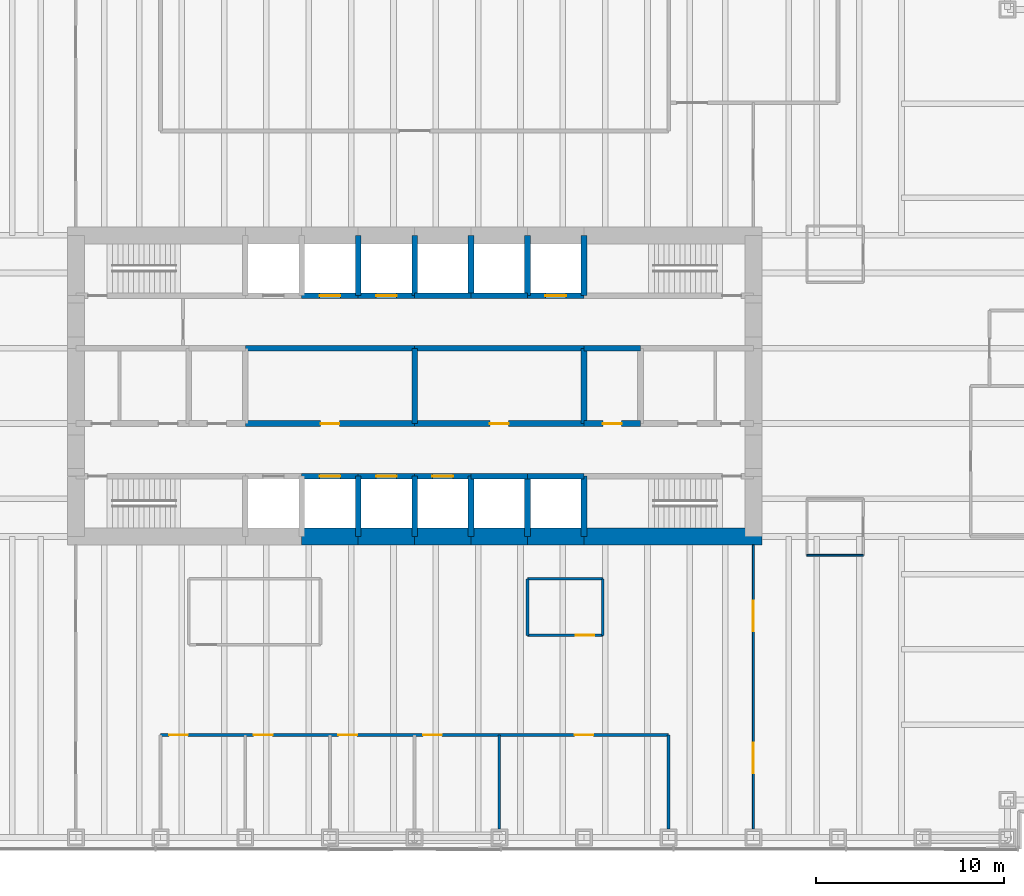
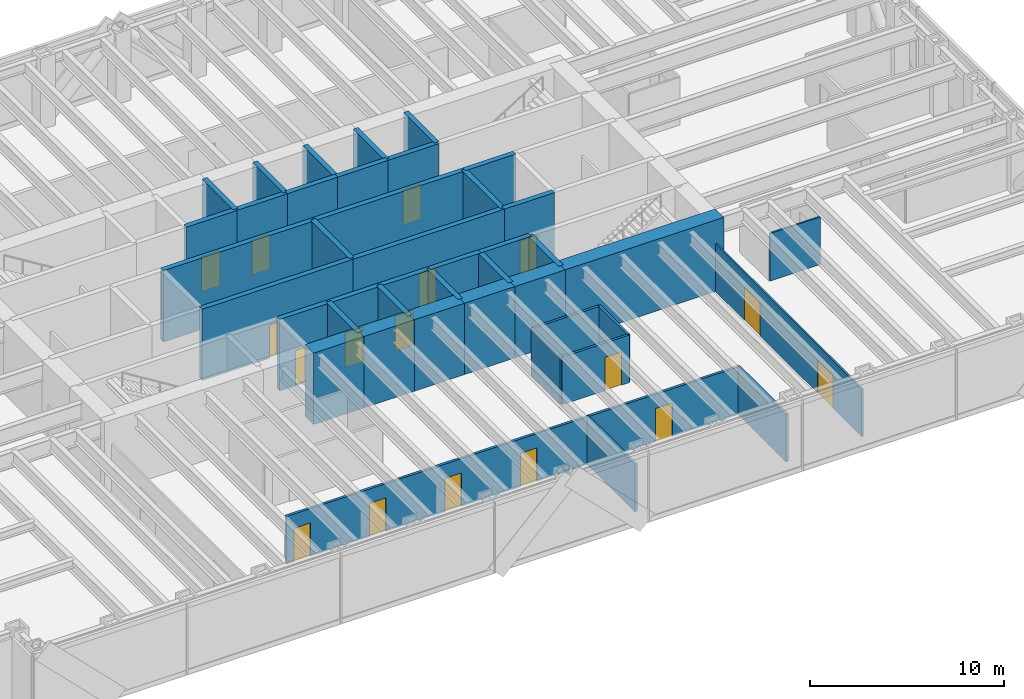
# One storey, part 10 of 13: 43 walls, 17 doors, 17 openings.
"""IFC4 building model written with IfcOpenShell, lengths in metres."""

from ifc_helpers import new_model, si_unit, direction, frame, frame_2d, origin, place, context, subcontext, project, spatial, rectangle, extrude, material, layer, layer_set, type_object, element, fill, save


model = new_model("IFC4")

# Units and contexts
model_context = context("Model", 3, precision=1e-05, world=origin(), true_north=direction((0.0, 1.0)))
body_context = subcontext(model_context, "Body", "Model", "MODEL_VIEW")
ifc_project = project(units=[si_unit("LENGTHUNIT", "METRE"), si_unit("AREAUNIT", "SQUARE_METRE"), si_unit("VOLUMEUNIT", "CUBIC_METRE"), si_unit("PLANEANGLEUNIT", "RADIAN"), si_unit("MASSUNIT", "GRAM", prefix="KILO")], contexts=[model_context])

# Site, building, storey
site_placement = place(None, origin())
site = spatial("IfcSite", under=ifc_project, at=site_placement, CompositionType="ELEMENT")
building_placement = place(site_placement, origin())
building = spatial("IfcBuilding", under=site, at=building_placement, Name="Rheinbord Bourse Tower", CompositionType="ELEMENT")
storey_placement = place(building_placement, frame((0.0, 0.0, 27.5)))
storey = spatial("IfcBuildingStorey", under=building, at=storey_placement, Name="L05", CompositionType="ELEMENT", Elevation=27.5)

# Wall, opening, door
ifc_material_1 = material(Name="Concrete C50/60", Category="concrete")
ifc_layer_1 = layer(ifc_material_1, 0.300048828125)
ifc_layer_set_1 = layer_set([ifc_layer_1], Name="CORE INNER WALL 300")
wall_type_1 = type_object("IfcWallType", Name="CORE INNER WALL 300", PredefinedType="SOLIDWALL", material=ifc_layer_set_1)
wall_1_placement = place(storey_placement, frame((30.0, 19.199951171875, 0.0), z_axis=(0.0, 0.0, 1.0), x_axis=(1.0, 0.0, 0.0)))
wall_1 = element("IfcWall", 1, at=wall_1_placement, inside=storey, type_object=wall_type_1, Name="Core wall A3 L05", PredefinedType="SOLIDWALL", context=body_context, shape_type="SweptSolid", body=[
    extrude(rectangle(XDim=3.0, YDim=0.300048828125, at=frame_2d((1.5, 0.0))), origin(), (0.0, 0.0, 1.0), 4.5),
])
opening_1_placement = place(wall_1_placement, frame((0.949951171875, 0.0, 0.0)))
opening_1 = element("IfcOpeningElement", 2, at=opening_1_placement, cuts=wall_1, Name="Opening PA1", PredefinedType="OPENING", context=body_context, shape_type="SweptSolid", body=[
    extrude(rectangle(XDim=1.10009765625, YDim=2.199951171875, at=frame_2d((0.550048828125, 1.10009765625))), frame((0.0, 0.159912109375, 0.0), z_axis=(0.0, -1.0, 0.0), x_axis=(1.0, 0.0, 0.0)), (0.0, 0.0, 1.0), 0.320068359375),
])
ifc_material_2 = material(Name="Steel landing door", Category="steel")
door_type_1 = type_object("IfcDoorType", Name="LIFT LANDING DOOR 1100", OperationType="DOUBLE_DOOR_SLIDING", PredefinedType="USERDEFINED", material=ifc_material_2)
door_1_placement = place(opening_1_placement, origin())
door_1 = element("IfcDoor", 3, at=door_1_placement, inside=storey, type_object=door_type_1, Name="Lift landing door PA1 L05", ObjectType="LIFT LANDING DOOR", OperationType="DOUBLE_DOOR_SLIDING", OverallHeight=2.199951171875, OverallWidth=1.10009765625, PredefinedType="USERDEFINED", context=body_context, shape_type="SweptSolid", body=[
    extrude(rectangle(XDim=1.10009765625, YDim=2.199951171875, at=frame_2d((0.550048828125, 1.10009765625))), frame((0.0, 0.02490234375, 0.0), z_axis=(0.0, -1.0, 0.0), x_axis=(1.0, 0.0, 0.0)), (0.0, 0.0, 1.0), 0.050048828125),
])
fill(opening_1, door_1)

wall_2_placement = place(storey_placement, frame((33.0, 19.199951171875, 0.0), z_axis=(0.0, 0.0, 1.0), x_axis=(1.0, 0.0, 0.0)))
wall_2 = element("IfcWall", 4, at=wall_2_placement, inside=storey, type_object=wall_type_1, Name="Core wall A4 L05", PredefinedType="SOLIDWALL", context=body_context, shape_type="SweptSolid", body=[
    extrude(rectangle(XDim=3.0, YDim=0.300048828125, at=frame_2d((1.5, 0.0))), origin(), (0.0, 0.0, 1.0), 4.5),
])
opening_2_placement = place(wall_2_placement, frame((0.949951171875, 0.0, 0.0)))
opening_2 = element("IfcOpeningElement", 5, at=opening_2_placement, cuts=wall_2, Name="Opening PA2", PredefinedType="OPENING", context=body_context, shape_type="SweptSolid", body=[
    extrude(rectangle(XDim=1.10009765625, YDim=2.199951171875, at=frame_2d((0.550048828125, 1.10009765625))), frame((0.0, 0.159912109375, 0.0), z_axis=(0.0, -1.0, 0.0), x_axis=(1.0, 0.0, 0.0)), (0.0, 0.0, 1.0), 0.320068359375),
])
door_2_placement = place(opening_2_placement, origin())
door_2 = element("IfcDoor", 6, at=door_2_placement, inside=storey, type_object=door_type_1, Name="Lift landing door PA2 L05", ObjectType="LIFT LANDING DOOR", OperationType="DOUBLE_DOOR_SLIDING", OverallHeight=2.199951171875, OverallWidth=1.10009765625, PredefinedType="USERDEFINED", context=body_context, shape_type="SweptSolid", body=[
    extrude(rectangle(XDim=1.10009765625, YDim=2.199951171875, at=frame_2d((0.550048828125, 1.10009765625))), frame((0.0, 0.02490234375, 0.0), z_axis=(0.0, -1.0, 0.0), x_axis=(1.0, 0.0, 0.0)), (0.0, 0.0, 1.0), 0.050048828125),
])
fill(opening_2, door_2)

wall_3_placement = place(storey_placement, frame((36.0, 19.199951171875, 0.0), z_axis=(0.0, 0.0, 1.0), x_axis=(1.0, 0.0, 0.0)))
wall_3 = element("IfcWall", 7, at=wall_3_placement, inside=storey, type_object=wall_type_1, Name="Core wall A5 L05", PredefinedType="SOLIDWALL", context=body_context, shape_type="SweptSolid", body=[
    extrude(rectangle(XDim=3.0, YDim=0.300048828125, at=frame_2d((1.5, 0.0))), origin(), (0.0, 0.0, 1.0), 4.5),
])
opening_3_placement = place(wall_3_placement, frame((0.949951171875, 0.0, 0.0)))
opening_3 = element("IfcOpeningElement", 8, at=opening_3_placement, cuts=wall_3, Name="Opening PA3", PredefinedType="OPENING", context=body_context, shape_type="SweptSolid", body=[
    extrude(rectangle(XDim=1.10009765625, YDim=2.199951171875, at=frame_2d((0.550048828125, 1.10009765625))), frame((0.0, 0.159912109375, 0.0), z_axis=(0.0, -1.0, 0.0), x_axis=(1.0, 0.0, 0.0)), (0.0, 0.0, 1.0), 0.320068359375),
])
door_3_placement = place(opening_3_placement, origin())
door_3 = element("IfcDoor", 9, at=door_3_placement, inside=storey, type_object=door_type_1, Name="Lift landing door PA3 L05", ObjectType="LIFT LANDING DOOR", OperationType="DOUBLE_DOOR_SLIDING", OverallHeight=2.199951171875, OverallWidth=1.10009765625, PredefinedType="USERDEFINED", context=body_context, shape_type="SweptSolid", body=[
    extrude(rectangle(XDim=1.10009765625, YDim=2.199951171875, at=frame_2d((0.550048828125, 1.10009765625))), frame((0.0, 0.02490234375, 0.0), z_axis=(0.0, -1.0, 0.0), x_axis=(1.0, 0.0, 0.0)), (0.0, 0.0, 1.0), 0.050048828125),
])
fill(opening_3, door_3)

# Walls
for number, where, z_axis, x_axis, name in (
    (10, (39.0, 19.199951171875, 0.0), (0.0, 0.0, 1.0), (1.0, 0.0, 0.0), "Core wall A6 L05"),
    (11, (42.0, 19.199951171875, 0.0), (0.0, 0.0, 1.0), (1.0, 0.0, 0.0), "Core wall A7 L05"),
):
    element("IfcWall", number, at=place(storey_placement, frame(where, z_axis=z_axis, x_axis=x_axis)), inside=storey, type_object=wall_type_1, Name=name, PredefinedType="SOLIDWALL", context=body_context, shape_type="SweptSolid", body=[
        extrude(rectangle(XDim=3.0, YDim=0.300048828125, at=frame_2d((1.5, 0.0))), origin(), (0.0, 0.0, 1.0), 4.5),
    ])

# Wall, opening, door
wall_4_placement = place(storey_placement, frame((30.0, 28.800048828125, 0.0), z_axis=(0.0, 0.0, 1.0), x_axis=(1.0, 0.0, 0.0)))
wall_4 = element("IfcWall", 12, at=wall_4_placement, inside=storey, type_object=wall_type_1, Name="Core wall B3 L05", PredefinedType="SOLIDWALL", context=body_context, shape_type="SweptSolid", body=[
    extrude(rectangle(XDim=3.0, YDim=0.300048828125, at=frame_2d((1.5, 0.0))), origin(), (0.0, 0.0, 1.0), 4.5),
])
opening_4_placement = place(wall_4_placement, frame((0.949951171875, 0.0, 0.0)))
opening_4 = element("IfcOpeningElement", 13, at=opening_4_placement, cuts=wall_4, Name="Opening PA4", PredefinedType="OPENING", context=body_context, shape_type="SweptSolid", body=[
    extrude(rectangle(XDim=1.10009765625, YDim=2.199951171875, at=frame_2d((0.550048828125, 1.10009765625))), frame((0.0, 0.159912109375, 0.0), z_axis=(0.0, -1.0, 0.0), x_axis=(1.0, 0.0, 0.0)), (0.0, 0.0, 1.0), 0.320068359375),
])
door_4_placement = place(opening_4_placement, origin())
door_4 = element("IfcDoor", 14, at=door_4_placement, inside=storey, type_object=door_type_1, Name="Lift landing door PA4 L05", ObjectType="LIFT LANDING DOOR", OperationType="DOUBLE_DOOR_SLIDING", OverallHeight=2.199951171875, OverallWidth=1.10009765625, PredefinedType="USERDEFINED", context=body_context, shape_type="SweptSolid", body=[
    extrude(rectangle(XDim=1.10009765625, YDim=2.199951171875, at=frame_2d((0.550048828125, 1.10009765625))), frame((0.0, 0.02490234375, 0.0), z_axis=(0.0, -1.0, 0.0), x_axis=(1.0, 0.0, 0.0)), (0.0, 0.0, 1.0), 0.050048828125),
])
fill(opening_4, door_4)

wall_5_placement = place(storey_placement, frame((33.0, 28.800048828125, 0.0), z_axis=(0.0, 0.0, 1.0), x_axis=(1.0, 0.0, 0.0)))
wall_5 = element("IfcWall", 15, at=wall_5_placement, inside=storey, type_object=wall_type_1, Name="Core wall B4 L05", PredefinedType="SOLIDWALL", context=body_context, shape_type="SweptSolid", body=[
    extrude(rectangle(XDim=3.0, YDim=0.300048828125, at=frame_2d((1.5, 0.0))), origin(), (0.0, 0.0, 1.0), 4.5),
])
opening_5_placement = place(wall_5_placement, frame((0.949951171875, 0.0, 0.0)))
opening_5 = element("IfcOpeningElement", 16, at=opening_5_placement, cuts=wall_5, Name="Opening PA5", PredefinedType="OPENING", context=body_context, shape_type="SweptSolid", body=[
    extrude(rectangle(XDim=1.10009765625, YDim=2.199951171875, at=frame_2d((0.550048828125, 1.10009765625))), frame((0.0, 0.159912109375, 0.0), z_axis=(0.0, -1.0, 0.0), x_axis=(1.0, 0.0, 0.0)), (0.0, 0.0, 1.0), 0.320068359375),
])
door_5_placement = place(opening_5_placement, origin())
door_5 = element("IfcDoor", 17, at=door_5_placement, inside=storey, type_object=door_type_1, Name="Lift landing door PA5 L05", ObjectType="LIFT LANDING DOOR", OperationType="DOUBLE_DOOR_SLIDING", OverallHeight=2.199951171875, OverallWidth=1.10009765625, PredefinedType="USERDEFINED", context=body_context, shape_type="SweptSolid", body=[
    extrude(rectangle(XDim=1.10009765625, YDim=2.199951171875, at=frame_2d((0.550048828125, 1.10009765625))), frame((0.0, 0.02490234375, 0.0), z_axis=(0.0, -1.0, 0.0), x_axis=(1.0, 0.0, 0.0)), (0.0, 0.0, 1.0), 0.050048828125),
])
fill(opening_5, door_5)

# Walls
for number, where, z_axis, x_axis, name in (
    (18, (36.0, 28.800048828125, 0.0), (0.0, 0.0, 1.0), (1.0, 0.0, 0.0), "Core wall B5 L05"),
    (19, (39.0, 28.800048828125, 0.0), (0.0, 0.0, 1.0), (1.0, 0.0, 0.0), "Core wall B6 L05"),
):
    element("IfcWall", number, at=place(storey_placement, frame(where, z_axis=z_axis, x_axis=x_axis)), inside=storey, type_object=wall_type_1, Name=name, PredefinedType="SOLIDWALL", context=body_context, shape_type="SweptSolid", body=[
        extrude(rectangle(XDim=3.0, YDim=0.300048828125, at=frame_2d((1.5, 0.0))), origin(), (0.0, 0.0, 1.0), 4.5),
    ])

# Wall, opening, door
wall_6_placement = place(storey_placement, frame((42.0, 28.800048828125, 0.0), z_axis=(0.0, 0.0, 1.0), x_axis=(1.0, 0.0, 0.0)))
wall_6 = element("IfcWall", 20, at=wall_6_placement, inside=storey, type_object=wall_type_1, Name="Core wall B7 L05", PredefinedType="SOLIDWALL", context=body_context, shape_type="SweptSolid", body=[
    extrude(rectangle(XDim=3.0, YDim=0.300048828125, at=frame_2d((1.5, 0.0))), origin(), (0.0, 0.0, 1.0), 4.5),
])
opening_6_placement = place(wall_6_placement, frame((0.949951171875, 0.0, 0.0)))
opening_6 = element("IfcOpeningElement", 21, at=opening_6_placement, cuts=wall_6, Name="Opening FL2", PredefinedType="OPENING", context=body_context, shape_type="SweptSolid", body=[
    extrude(rectangle(XDim=1.10009765625, YDim=2.199951171875, at=frame_2d((0.550048828125, 1.10009765625))), frame((0.0, 0.159912109375, 0.0), z_axis=(0.0, -1.0, 0.0), x_axis=(1.0, 0.0, 0.0)), (0.0, 0.0, 1.0), 0.320068359375),
])
door_6_placement = place(opening_6_placement, origin())
door_6 = element("IfcDoor", 22, at=door_6_placement, inside=storey, type_object=door_type_1, Name="Lift landing door FL2 L05", ObjectType="LIFT LANDING DOOR", OperationType="DOUBLE_DOOR_SLIDING", OverallHeight=2.199951171875, OverallWidth=1.10009765625, PredefinedType="USERDEFINED", context=body_context, shape_type="SweptSolid", body=[
    extrude(rectangle(XDim=1.10009765625, YDim=2.199951171875, at=frame_2d((0.550048828125, 1.10009765625))), frame((0.0, 0.02490234375, 0.0), z_axis=(0.0, -1.0, 0.0), x_axis=(1.0, 0.0, 0.0)), (0.0, 0.0, 1.0), 0.050048828125),
])
fill(opening_6, door_6)

wall_7_placement = place(storey_placement, frame((27.0, 22.0, 0.0), z_axis=(0.0, 0.0, 1.0), x_axis=(1.0, 0.0, 0.0)))
wall_7 = element("IfcWall", 23, at=wall_7_placement, inside=storey, type_object=wall_type_1, Name="Core wall C3 L05", PredefinedType="SOLIDWALL", context=body_context, shape_type="SweptSolid", body=[
    extrude(rectangle(XDim=9.0, YDim=0.300048828125, at=frame_2d((4.5, 0.0))), origin(), (0.0, 0.0, 1.0), 4.5),
])
opening_7_placement = place(wall_7_placement, frame((4.0, 0.0, 0.0)))
opening_7 = element("IfcOpeningElement", 24, at=opening_7_placement, cuts=wall_7, Name="Opening 05R3", PredefinedType="OPENING", context=body_context, shape_type="SweptSolid", body=[
    extrude(rectangle(XDim=1.0, YDim=2.10009765625, at=frame_2d((0.5, 1.050048828125))), frame((0.0, 0.159912109375, 0.0), z_axis=(0.0, -1.0, 0.0), x_axis=(1.0, 0.0, 0.0)), (0.0, 0.0, 1.0), 0.320068359375),
])
ifc_material_3 = material(Name="Steel door", Category="steel")
door_type_2 = type_object("IfcDoorType", Name="DOOR 1000 EI30", OperationType="SINGLE_SWING_LEFT", PredefinedType="DOOR", material=ifc_material_3)
door_7_placement = place(opening_7_placement, origin())
door_7 = element("IfcDoor", 25, at=door_7_placement, inside=storey, type_object=door_type_2, Name="Riser door L05", OperationType="SINGLE_SWING_LEFT", OverallHeight=2.10009765625, OverallWidth=1.0, PredefinedType="DOOR", context=body_context, shape_type="SweptSolid", body=[
    extrude(rectangle(XDim=1.0, YDim=2.10009765625, at=frame_2d((0.5, 1.050048828125))), frame((0.0, 0.02490234375, 0.0), z_axis=(0.0, -1.0, 0.0), x_axis=(1.0, 0.0, 0.0)), (0.0, 0.0, 1.0), 0.050048828125),
])
fill(opening_7, door_7)

wall_8_placement = place(storey_placement, frame((36.0, 22.0, 0.0), z_axis=(0.0, 0.0, 1.0), x_axis=(1.0, 0.0, 0.0)))
wall_8 = element("IfcWall", 26, at=wall_8_placement, inside=storey, type_object=wall_type_1, Name="Core wall C4 L05", PredefinedType="SOLIDWALL", context=body_context, shape_type="SweptSolid", body=[
    extrude(rectangle(XDim=9.0, YDim=0.300048828125, at=frame_2d((4.5, 0.0))), origin(), (0.0, 0.0, 1.0), 4.5),
])
opening_8_placement = place(wall_8_placement, frame((4.0, 0.0, 0.0)))
opening_8 = element("IfcOpeningElement", 27, at=opening_8_placement, cuts=wall_8, Name="Opening 05R4", PredefinedType="OPENING", context=body_context, shape_type="SweptSolid", body=[
    extrude(rectangle(XDim=1.0, YDim=2.10009765625, at=frame_2d((0.5, 1.050048828125))), frame((0.0, 0.159912109375, 0.0), z_axis=(0.0, -1.0, 0.0), x_axis=(1.0, 0.0, 0.0)), (0.0, 0.0, 1.0), 0.320068359375),
])
door_8_placement = place(opening_8_placement, origin())
door_8 = element("IfcDoor", 28, at=door_8_placement, inside=storey, type_object=door_type_2, Name="Store door L05", OperationType="SINGLE_SWING_LEFT", OverallHeight=2.10009765625, OverallWidth=1.0, PredefinedType="DOOR", context=body_context, shape_type="SweptSolid", body=[
    extrude(rectangle(XDim=1.0, YDim=2.10009765625, at=frame_2d((0.5, 1.050048828125))), frame((0.0, 0.02490234375, 0.0), z_axis=(0.0, -1.0, 0.0), x_axis=(1.0, 0.0, 0.0)), (0.0, 0.0, 1.0), 0.050048828125),
])
fill(opening_8, door_8)

wall_9_placement = place(storey_placement, frame((45.0, 22.0, 0.0), z_axis=(0.0, 0.0, 1.0), x_axis=(1.0, 0.0, 0.0)))
wall_9 = element("IfcWall", 29, at=wall_9_placement, inside=storey, type_object=wall_type_1, Name="Core wall C5 L05", PredefinedType="SOLIDWALL", context=body_context, shape_type="SweptSolid", body=[
    extrude(rectangle(XDim=3.0, YDim=0.300048828125, at=frame_2d((1.5, 0.0))), origin(), (0.0, 0.0, 1.0), 4.5),
])
opening_9_placement = place(wall_9_placement, frame((1.0, 0.0, 0.0)))
opening_9 = element("IfcOpeningElement", 30, at=opening_9_placement, cuts=wall_9, Name="Opening 05R5", PredefinedType="OPENING", context=body_context, shape_type="SweptSolid", body=[
    extrude(rectangle(XDim=1.0, YDim=2.10009765625, at=frame_2d((0.5, 1.050048828125))), frame((0.0, 0.159912109375, 0.0), z_axis=(0.0, -1.0, 0.0), x_axis=(1.0, 0.0, 0.0)), (0.0, 0.0, 1.0), 0.320068359375),
])
ifc_material_4 = material(Name="Timber door", Category="wood")
door_type_3 = type_object("IfcDoorType", Name="DOOR 1000 WC", OperationType="SINGLE_SWING_LEFT", PredefinedType="DOOR", material=ifc_material_4)
door_9_placement = place(opening_9_placement, origin())
door_9 = element("IfcDoor", 31, at=door_9_placement, inside=storey, type_object=door_type_3, Name="Accessible WC door L05", OperationType="SINGLE_SWING_LEFT", OverallHeight=2.10009765625, OverallWidth=1.0, PredefinedType="DOOR", context=body_context, shape_type="SweptSolid", body=[
    extrude(rectangle(XDim=1.0, YDim=2.10009765625, at=frame_2d((0.5, 1.050048828125))), frame((0.0, 0.02490234375, 0.0), z_axis=(0.0, -1.0, 0.0), x_axis=(1.0, 0.0, 0.0)), (0.0, 0.0, 1.0), 0.050048828125),
])
fill(opening_9, door_9)

# Walls
for number, where, z_axis, x_axis, name in (
    (32, (27.0, 26.0, 0.0), (0.0, 0.0, 1.0), (1.0, 0.0, 0.0), "Core wall D3 L05"),
    (33, (36.0, 26.0, 0.0), (0.0, 0.0, 1.0), (1.0, 0.0, 0.0), "Core wall D4 L05"),
):
    element("IfcWall", number, at=place(storey_placement, frame(where, z_axis=z_axis, x_axis=x_axis)), inside=storey, type_object=wall_type_1, Name=name, PredefinedType="SOLIDWALL", context=body_context, shape_type="SweptSolid", body=[
        extrude(rectangle(XDim=9.0, YDim=0.300048828125, at=frame_2d((4.5, 0.0))), origin(), (0.0, 0.0, 1.0), 4.5),
    ])
wall_10_placement = place(storey_placement, frame((45.0, 26.0, 0.0), z_axis=(0.0, 0.0, 1.0), x_axis=(1.0, 0.0, 0.0)))
element("IfcWall", 34, at=wall_10_placement, inside=storey, type_object=wall_type_1, Name="Core wall D5 L05", PredefinedType="SOLIDWALL", context=body_context, shape_type="SweptSolid", body=[
    extrude(rectangle(XDim=3.0, YDim=0.300048828125, at=frame_2d((1.5, 0.0))), origin(), (0.0, 0.0, 1.0), 4.5),
])
for number, where, z_axis, x_axis, name in (
    (35, (33.0, 16.0, 0.0), (0.0, 0.0, 1.0), (0.0, 1.0, 0.0), "Core wall SX33 L05"),
    (36, (33.0, 28.800048828125, 0.0), (0.0, 0.0, 1.0), (0.0, 1.0, 0.0), "Core wall NX33 L05"),
    (37, (36.0, 16.0, 0.0), (0.0, 0.0, 1.0), (0.0, 1.0, 0.0), "Core wall SX36 L05"),
    (38, (36.0, 28.800048828125, 0.0), (0.0, 0.0, 1.0), (0.0, 1.0, 0.0), "Core wall NX36 L05"),
    (39, (39.0, 16.0, 0.0), (0.0, 0.0, 1.0), (0.0, 1.0, 0.0), "Core wall SX39 L05"),
    (40, (39.0, 28.800048828125, 0.0), (0.0, 0.0, 1.0), (0.0, 1.0, 0.0), "Core wall NX39 L05"),
    (41, (42.0, 16.0, 0.0), (0.0, 0.0, 1.0), (0.0, 1.0, 0.0), "Core wall SX42 L05"),
    (42, (42.0, 28.800048828125, 0.0), (0.0, 0.0, 1.0), (0.0, 1.0, 0.0), "Core wall NX42 L05"),
    (43, (45.0, 16.0, 0.0), (0.0, 0.0, 1.0), (0.0, 1.0, 0.0), "Core wall SX45 L05"),
    (44, (45.0, 28.800048828125, 0.0), (0.0, 0.0, 1.0), (0.0, 1.0, 0.0), "Core wall NX45 L05"),
):
    element("IfcWall", number, at=place(storey_placement, frame(where, z_axis=z_axis, x_axis=x_axis)), inside=storey, type_object=wall_type_1, Name=name, PredefinedType="SOLIDWALL", context=body_context, shape_type="SweptSolid", body=[
        extrude(rectangle(XDim=3.199951171875, YDim=0.300048828125, at=frame_2d((1.60009765625, 0.0))), origin(), (0.0, 0.0, 1.0), 4.5),
    ])
for number, where, z_axis, x_axis, name in (
    (45, (36.0, 22.0, 0.0), (0.0, 0.0, 1.0), (0.0, 1.0, 0.0), "Core wall MX36 L05"),
    (46, (45.0, 22.0, 0.0), (0.0, 0.0, 1.0), (0.0, 1.0, 0.0), "Core wall MX45 L05"),
):
    element("IfcWall", number, at=place(storey_placement, frame(where, z_axis=z_axis, x_axis=x_axis)), inside=storey, type_object=wall_type_1, Name=name, PredefinedType="SOLIDWALL", context=body_context, shape_type="SweptSolid", body=[
        extrude(rectangle(XDim=4.0, YDim=0.300048828125, at=frame_2d((2.0, 0.0))), origin(), (0.0, 0.0, 1.0), 4.5),
    ])
ifc_material_5 = material(Name="Concrete C50/60", Category="concrete")
ifc_layer_2 = layer(ifc_material_5, 0.89990234375)
ifc_layer_set_2 = layer_set([ifc_layer_2], Name="CORE WALL 900")
wall_type_2 = type_object("IfcWallType", Name="CORE WALL 900", PredefinedType="SHEAR", material=ifc_layer_set_2)
for number, where, z_axis, x_axis, name in (
    (47, (30.0, 16.0, 0.0), (0.0, 0.0, 1.0), (1.0, 0.0, 0.0), "Core wall S3 L05"),
    (48, (33.0, 16.0, 0.0), (0.0, 0.0, 1.0), (1.0, 0.0, 0.0), "Core wall S4 L05"),
    (49, (36.0, 16.0, 0.0), (0.0, 0.0, 1.0), (1.0, 0.0, 0.0), "Core wall S5 L05"),
    (50, (39.0, 16.0, 0.0), (0.0, 0.0, 1.0), (1.0, 0.0, 0.0), "Core wall S6 L05"),
    (51, (42.0, 16.0, 0.0), (0.0, 0.0, 1.0), (1.0, 0.0, 0.0), "Core wall S7 L05"),
):
    element("IfcWall", number, at=place(storey_placement, frame(where, z_axis=z_axis, x_axis=x_axis)), inside=storey, type_object=wall_type_2, Name=name, PredefinedType="SHEAR", context=body_context, shape_type="SweptSolid", body=[
        extrude(rectangle(XDim=3.0, YDim=0.89990234375, at=frame_2d((1.5, 0.0))), origin(), (0.0, 0.0, 1.0), 4.5),
    ])
wall_11_placement = place(storey_placement, frame((45.0, 16.0, 0.0), z_axis=(0.0, 0.0, 1.0), x_axis=(1.0, 0.0, 0.0)))
element("IfcWall", 52, at=wall_11_placement, inside=storey, type_object=wall_type_2, Name="Core wall S8 L05", PredefinedType="SHEAR", context=body_context, shape_type="SweptSolid", body=[
    extrude(rectangle(XDim=9.449951171875, YDim=0.89990234375, at=frame_2d((4.72509765625, 0.0))), origin(), (0.0, 0.0, 1.0), 4.5),
])
ifc_material_6 = material(Name="Toughened laminated glass partition", Category="glass")
ifc_layer_3 = layer(ifc_material_6, 0.10009765625)
ifc_layer_set_3 = layer_set([ifc_layer_3], Name="GLAZED PARTITION 100")
wall_type_3 = type_object("IfcWallType", Name="GLAZED PARTITION 100", PredefinedType="PARTITIONING", material=ifc_layer_set_3)
wall_12_placement = place(storey_placement, frame((56.85009765625, 15.0, 0.0), z_axis=(0.0, 0.0, 1.0), x_axis=(1.0, 0.0, 0.0)))
element("IfcWall", 53, at=wall_12_placement, inside=storey, type_object=wall_type_3, Name="Partition L05-06", PredefinedType="PARTITIONING", context=body_context, shape_type="SweptSolid", body=[
    extrude(rectangle(XDim=3.0, YDim=0.10009765625, at=frame_2d((1.5, 0.0))), origin(), (0.0, 0.0, 1.0), 3.0),
])

# Wall, openings, doors
wall_13_placement = place(storey_placement, frame((54.0, 0.449951171875, 0.0), z_axis=(0.0, 0.0, 1.0), x_axis=(0.0, 1.0, 0.0)))
wall_13 = element("IfcWall", 54, at=wall_13_placement, inside=storey, type_object=wall_type_3, Name="Partition L05-32", PredefinedType="PARTITIONING", context=body_context, shape_type="SweptSolid", body=[
    extrude(rectangle(XDim=15.10009765625, YDim=0.10009765625, at=frame_2d((7.550048828125, 0.0))), origin(), (0.0, 0.0, 1.0), 3.0),
])
opening_10_placement = place(wall_13_placement, frame((2.97509765625, 0.0, 0.0)))
opening_10 = element("IfcOpeningElement", 55, at=opening_10_placement, cuts=wall_13, Name="Opening 05D19", PredefinedType="OPENING", context=body_context, shape_type="SweptSolid", body=[
    extrude(rectangle(XDim=1.60009765625, YDim=2.10009765625, at=frame_2d((0.800048828125, 1.050048828125))), frame((0.0, 0.06005859375, 0.0), z_axis=(0.0, -1.0, 0.0), x_axis=(1.0, 0.0, 0.0)), (0.0, 0.0, 1.0), 0.1201171875),
])
opening_11_placement = place(wall_13_placement, frame((10.52490234375, 0.0, 0.0)))
opening_11 = element("IfcOpeningElement", 56, at=opening_11_placement, cuts=wall_13, Name="Opening 05D20", PredefinedType="OPENING", context=body_context, shape_type="SweptSolid", body=[
    extrude(rectangle(XDim=1.60009765625, YDim=2.10009765625, at=frame_2d((0.800048828125, 1.050048828125))), frame((0.0, 0.06005859375, 0.0), z_axis=(0.0, -1.0, 0.0), x_axis=(1.0, 0.0, 0.0)), (0.0, 0.0, 1.0), 0.1201171875),
])
ifc_material_7 = material(Name="Timber door", Category="wood")
door_type_4 = type_object("IfcDoorType", Name="DOUBLE ROOM DOOR 1600", OperationType="DOUBLE_DOOR_DOUBLE_SWING", PredefinedType="DOOR", material=ifc_material_7)
door_10_placement = place(opening_10_placement, origin())
door_10 = element("IfcDoor", 57, at=door_10_placement, inside=storey, type_object=door_type_4, Name="Open area door L05", OperationType="SINGLE_SWING_LEFT", OverallHeight=2.10009765625, OverallWidth=1.60009765625, PredefinedType="DOOR", context=body_context, shape_type="SweptSolid", body=[
    extrude(rectangle(XDim=1.60009765625, YDim=2.10009765625, at=frame_2d((0.800048828125, 1.050048828125))), frame((0.0, 0.02490234375, 0.0), z_axis=(0.0, -1.0, 0.0), x_axis=(1.0, 0.0, 0.0)), (0.0, 0.0, 1.0), 0.050048828125),
])
fill(opening_10, door_10)
door_11_placement = place(opening_11_placement, origin())
door_11 = element("IfcDoor", 58, at=door_11_placement, inside=storey, type_object=door_type_4, Name="Open area door L05", OperationType="SINGLE_SWING_LEFT", OverallHeight=2.10009765625, OverallWidth=1.60009765625, PredefinedType="DOOR", context=body_context, shape_type="SweptSolid", body=[
    extrude(rectangle(XDim=1.60009765625, YDim=2.10009765625, at=frame_2d((0.800048828125, 1.050048828125))), frame((0.0, 0.02490234375, 0.0), z_axis=(0.0, -1.0, 0.0), x_axis=(1.0, 0.0, 0.0)), (0.0, 0.0, 1.0), 0.050048828125),
])
fill(opening_11, door_11)

ifc_material_8 = material(Name="Gypsum board partition", Category="gypsum board")
ifc_layer_4 = layer(ifc_material_8, 0.14990234375)
ifc_layer_set_4 = layer_set([ifc_layer_4], Name="PARTITION 150")
wall_type_4 = type_object("IfcWallType", Name="PARTITION 150", PredefinedType="PARTITIONING", material=ifc_layer_set_4)
wall_14_placement = place(storey_placement, frame((22.5, 5.449951171875, 0.0), z_axis=(0.0, 0.0, 1.0), x_axis=(1.0, 0.0, 0.0)))
wall_14 = element("IfcWall", 59, at=wall_14_placement, inside=storey, type_object=wall_type_4, Name="Partition L05-01", PredefinedType="PARTITIONING", context=body_context, shape_type="SweptSolid", body=[
    extrude(rectangle(XDim=27.0, YDim=0.14990234375, at=frame_2d((13.5, 0.0))), origin(), (0.0, 0.0, 1.0), 3.0),
])
opening_12_placement = place(wall_14_placement, frame((0.449951171875, 0.0, 0.0)))
opening_12 = element("IfcOpeningElement", 60, at=opening_12_placement, cuts=wall_14, Name="Opening 05D01", PredefinedType="OPENING", context=body_context, shape_type="SweptSolid", body=[
    extrude(rectangle(XDim=1.0, YDim=2.10009765625, at=frame_2d((0.5, 1.050048828125))), frame((0.0, 0.0849609375, 0.0), z_axis=(0.0, -1.0, 0.0), x_axis=(1.0, 0.0, 0.0)), (0.0, 0.0, 1.0), 0.169921875),
])
opening_13_placement = place(wall_14_placement, frame((4.949951171875, 0.0, 0.0)))
opening_13 = element("IfcOpeningElement", 61, at=opening_13_placement, cuts=wall_14, Name="Opening 05D02", PredefinedType="OPENING", context=body_context, shape_type="SweptSolid", body=[
    extrude(rectangle(XDim=1.0, YDim=2.10009765625, at=frame_2d((0.5, 1.050048828125))), frame((0.0, 0.0849609375, 0.0), z_axis=(0.0, -1.0, 0.0), x_axis=(1.0, 0.0, 0.0)), (0.0, 0.0, 1.0), 0.169921875),
])
opening_14_placement = place(wall_14_placement, frame((9.449951171875, 0.0, 0.0)))
opening_14 = element("IfcOpeningElement", 62, at=opening_14_placement, cuts=wall_14, Name="Opening 05D03", PredefinedType="OPENING", context=body_context, shape_type="SweptSolid", body=[
    extrude(rectangle(XDim=1.0, YDim=2.10009765625, at=frame_2d((0.5, 1.050048828125))), frame((0.0, 0.0849609375, 0.0), z_axis=(0.0, -1.0, 0.0), x_axis=(1.0, 0.0, 0.0)), (0.0, 0.0, 1.0), 0.169921875),
])
opening_15_placement = place(wall_14_placement, frame((13.949951171875, 0.0, 0.0)))
opening_15 = element("IfcOpeningElement", 63, at=opening_15_placement, cuts=wall_14, Name="Opening 05D04", PredefinedType="OPENING", context=body_context, shape_type="SweptSolid", body=[
    extrude(rectangle(XDim=1.0, YDim=2.10009765625, at=frame_2d((0.5, 1.050048828125))), frame((0.0, 0.0849609375, 0.0), z_axis=(0.0, -1.0, 0.0), x_axis=(1.0, 0.0, 0.0)), (0.0, 0.0, 1.0), 0.169921875),
])
opening_16_placement = place(wall_14_placement, frame((22.0, 0.0, 0.0)))
opening_16 = element("IfcOpeningElement", 64, at=opening_16_placement, cuts=wall_14, Name="Opening 05D05", PredefinedType="OPENING", context=body_context, shape_type="SweptSolid", body=[
    extrude(rectangle(XDim=1.0, YDim=2.10009765625, at=frame_2d((0.5, 1.050048828125))), frame((0.0, 0.0849609375, 0.0), z_axis=(0.0, -1.0, 0.0), x_axis=(1.0, 0.0, 0.0)), (0.0, 0.0, 1.0), 0.169921875),
])
ifc_material_9 = material(Name="Timber door", Category="wood")
door_type_5 = type_object("IfcDoorType", Name="ROOM DOOR 1000", OperationType="SINGLE_SWING_LEFT", PredefinedType="DOOR", material=ifc_material_9)
door_12_placement = place(opening_12_placement, origin())
door_12 = element("IfcDoor", 65, at=door_12_placement, inside=storey, type_object=door_type_5, Name="Office door L05", OperationType="SINGLE_SWING_LEFT", OverallHeight=2.10009765625, OverallWidth=1.0, PredefinedType="DOOR", context=body_context, shape_type="SweptSolid", body=[
    extrude(rectangle(XDim=1.0, YDim=2.10009765625, at=frame_2d((0.5, 1.050048828125))), frame((0.0, 0.02490234375, 0.0), z_axis=(0.0, -1.0, 0.0), x_axis=(1.0, 0.0, 0.0)), (0.0, 0.0, 1.0), 0.050048828125),
])
fill(opening_12, door_12)
door_13_placement = place(opening_13_placement, origin())
door_13 = element("IfcDoor", 66, at=door_13_placement, inside=storey, type_object=door_type_5, Name="Office door L05", OperationType="SINGLE_SWING_LEFT", OverallHeight=2.10009765625, OverallWidth=1.0, PredefinedType="DOOR", context=body_context, shape_type="SweptSolid", body=[
    extrude(rectangle(XDim=1.0, YDim=2.10009765625, at=frame_2d((0.5, 1.050048828125))), frame((0.0, 0.02490234375, 0.0), z_axis=(0.0, -1.0, 0.0), x_axis=(1.0, 0.0, 0.0)), (0.0, 0.0, 1.0), 0.050048828125),
])
fill(opening_13, door_13)
door_14_placement = place(opening_14_placement, origin())
door_14 = element("IfcDoor", 67, at=door_14_placement, inside=storey, type_object=door_type_5, Name="Office door L05", OperationType="SINGLE_SWING_LEFT", OverallHeight=2.10009765625, OverallWidth=1.0, PredefinedType="DOOR", context=body_context, shape_type="SweptSolid", body=[
    extrude(rectangle(XDim=1.0, YDim=2.10009765625, at=frame_2d((0.5, 1.050048828125))), frame((0.0, 0.02490234375, 0.0), z_axis=(0.0, -1.0, 0.0), x_axis=(1.0, 0.0, 0.0)), (0.0, 0.0, 1.0), 0.050048828125),
])
fill(opening_14, door_14)
door_15_placement = place(opening_15_placement, origin())
door_15 = element("IfcDoor", 68, at=door_15_placement, inside=storey, type_object=door_type_5, Name="Office door L05", OperationType="SINGLE_SWING_RIGHT", OverallHeight=2.10009765625, OverallWidth=1.0, PredefinedType="DOOR", context=body_context, shape_type="SweptSolid", body=[
    extrude(rectangle(XDim=1.0, YDim=2.10009765625, at=frame_2d((0.5, 1.050048828125))), frame((0.0, 0.02490234375, 0.0), z_axis=(0.0, -1.0, 0.0), x_axis=(1.0, 0.0, 0.0)), (0.0, 0.0, 1.0), 0.050048828125),
])
fill(opening_15, door_15)
door_16_placement = place(opening_16_placement, origin())
door_16 = element("IfcDoor", 69, at=door_16_placement, inside=storey, type_object=door_type_5, Name="Operations rest room door L05", OperationType="SINGLE_SWING_RIGHT", OverallHeight=2.10009765625, OverallWidth=1.0, PredefinedType="DOOR", context=body_context, shape_type="SweptSolid", body=[
    extrude(rectangle(XDim=1.0, YDim=2.10009765625, at=frame_2d((0.5, 1.050048828125))), frame((0.0, 0.02490234375, 0.0), z_axis=(0.0, -1.0, 0.0), x_axis=(1.0, 0.0, 0.0)), (0.0, 0.0, 1.0), 0.050048828125),
])
fill(opening_16, door_16)

# Wall, opening, door
wall_15_placement = place(storey_placement, frame((42.0, 10.75, 0.0), z_axis=(0.0, 0.0, 1.0), x_axis=(1.0, 0.0, 0.0)))
wall_15 = element("IfcWall", 70, at=wall_15_placement, inside=storey, type_object=wall_type_4, Name="Partition L05-03", PredefinedType="PARTITIONING", context=body_context, shape_type="SweptSolid", body=[
    extrude(rectangle(XDim=4.0, YDim=0.14990234375, at=frame_2d((2.0, 0.0))), origin(), (0.0, 0.0, 1.0), 3.0),
])
opening_17_placement = place(wall_15_placement, frame((2.550048828125, 0.0, 0.0)))
opening_17 = element("IfcOpeningElement", 71, at=opening_17_placement, cuts=wall_15, Name="Opening 05D07", PredefinedType="OPENING", context=body_context, shape_type="SweptSolid", body=[
    extrude(rectangle(XDim=1.0, YDim=2.10009765625, at=frame_2d((0.5, 1.050048828125))), frame((0.0, 0.0849609375, 0.0), z_axis=(0.0, -1.0, 0.0), x_axis=(1.0, 0.0, 0.0)), (0.0, 0.0, 1.0), 0.169921875),
])
door_17_placement = place(opening_17_placement, origin())
door_17 = element("IfcDoor", 72, at=door_17_placement, inside=storey, type_object=door_type_5, Name="Print room door L05", OperationType="SINGLE_SWING_RIGHT", OverallHeight=2.10009765625, OverallWidth=1.0, PredefinedType="DOOR", context=body_context, shape_type="SweptSolid", body=[
    extrude(rectangle(XDim=1.0, YDim=2.10009765625, at=frame_2d((0.5, 1.050048828125))), frame((0.0, 0.02490234375, 0.0), z_axis=(0.0, -1.0, 0.0), x_axis=(1.0, 0.0, 0.0)), (0.0, 0.0, 1.0), 0.050048828125),
])
fill(opening_17, door_17)

# Walls
wall_16_placement = place(storey_placement, frame((42.0, 13.75, 0.0), z_axis=(0.0, 0.0, 1.0), x_axis=(1.0, 0.0, 0.0)))
element("IfcWall", 73, at=wall_16_placement, inside=storey, type_object=wall_type_4, Name="Partition L05-05", PredefinedType="PARTITIONING", context=body_context, shape_type="SweptSolid", body=[
    extrude(rectangle(XDim=4.0, YDim=0.14990234375, at=frame_2d((2.0, 0.0))), origin(), (0.0, 0.0, 1.0), 3.0),
])
wall_17_placement = place(storey_placement, frame((40.5, 0.449951171875, 0.0), z_axis=(0.0, 0.0, 1.0), x_axis=(0.0, 1.0, 0.0)))
element("IfcWall", 74, at=wall_17_placement, inside=storey, type_object=wall_type_4, Name="Partition L05-27", PredefinedType="PARTITIONING", context=body_context, shape_type="SweptSolid", body=[
    extrude(rectangle(XDim=5.0, YDim=0.14990234375, at=frame_2d((2.5, 0.0))), origin(), (0.0, 0.0, 1.0), 3.0),
])
for number, where, z_axis, x_axis, name in (
    (75, (42.0, 10.75, 0.0), (0.0, 0.0, 1.0), (0.0, 1.0, 0.0), "Partition L05-28"),
    (76, (46.0, 10.75, 0.0), (0.0, 0.0, 1.0), (0.0, 1.0, 0.0), "Partition L05-29"),
):
    element("IfcWall", number, at=place(storey_placement, frame(where, z_axis=z_axis, x_axis=x_axis)), inside=storey, type_object=wall_type_4, Name=name, PredefinedType="PARTITIONING", context=body_context, shape_type="SweptSolid", body=[
        extrude(rectangle(XDim=3.0, YDim=0.14990234375, at=frame_2d((1.5, 0.0))), origin(), (0.0, 0.0, 1.0), 3.0),
    ])
wall_18_placement = place(storey_placement, frame((49.5, 0.449951171875, 0.0), z_axis=(0.0, 0.0, 1.0), x_axis=(0.0, 1.0, 0.0)))
element("IfcWall", 77, at=wall_18_placement, inside=storey, type_object=wall_type_4, Name="Partition L05-30", PredefinedType="PARTITIONING", context=body_context, shape_type="SweptSolid", body=[
    extrude(rectangle(XDim=5.0, YDim=0.14990234375, at=frame_2d((2.5, 0.0))), origin(), (0.0, 0.0, 1.0), 3.0),
])

save(model, "model.ifc")
